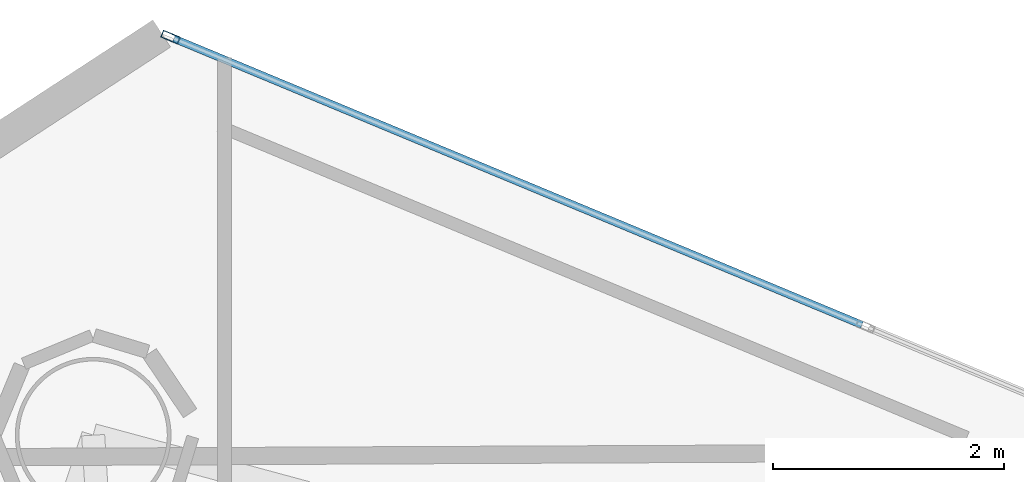
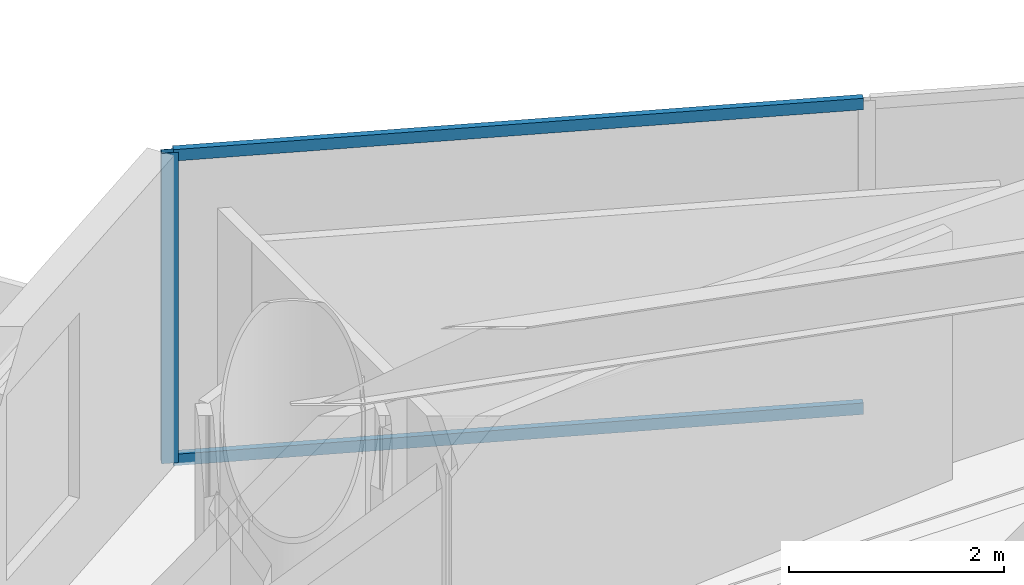
# One storey, part 16 of 22: 3 members, 1 element without a shape of its own.
"""IFC4 building model written with IfcOpenShell, lengths in metres."""

from ifc_helpers import new_model, si_unit, direction, frame, origin, origin_2d, place, context, subcontext, project, spatial, hollow_rectangle, extrude, material, layer, layer_set, material_profile, profile_set, type_object, element, aggregate, save


model = new_model("IFC4")

# Units and contexts
model_context = context("Model", 3, precision=1e-05, world=origin(), true_north=direction((0.0, 1.0)))
body_context = subcontext(model_context, "Body", "Model", "MODEL_VIEW")
ifc_project = project(units=[si_unit("LENGTHUNIT", "METRE"), si_unit("AREAUNIT", "SQUARE_METRE"), si_unit("VOLUMEUNIT", "CUBIC_METRE"), si_unit("PLANEANGLEUNIT", "RADIAN"), si_unit("MASSUNIT", "GRAM", prefix="KILO")], contexts=[model_context])

# Site, building, storey
site_placement = place(None, origin())
site = spatial("IfcSite", under=ifc_project, at=site_placement, CompositionType="ELEMENT")
building_placement = place(site_placement, origin())
building = spatial("IfcBuilding", under=site, at=building_placement, Name="Qianvela Tower", CompositionType="ELEMENT")
storey_placement = place(building_placement, frame((0.0, 0.0, 155.0)))
storey = spatial("IfcBuildingStorey", under=building, at=storey_placement, Name="L39", CompositionType="ELEMENT", Elevation=155.0)

# Curtain wall, members
ifc_material_1 = material(Name="Anodised Architectural Aluminium and Low-E Glass", Category="aluminium")
ifc_layer = layer(ifc_material_1, 0.169921875)
ifc_layer_set = layer_set([ifc_layer], Name="Anodised Architectural Aluminium and Low-E Glass")
curtain_wall_type = type_object("IfcCurtainWallType", Name="CW-COLIV-Z34", PredefinedType="USERDEFINED", material=ifc_layer_set)
curtain_wall_placement = place(storey_placement, origin())
curtain_wall = element("IfcCurtainWall", 1, at=curtain_wall_placement, inside=storey, type_object=curtain_wall_type, Name="L39 CW-COLIV-Z34 Curtain Wall 02C", ObjectType="CURTAIN_WALL_SYSTEM", PredefinedType="USERDEFINED")
ifc_material_2 = material(Name="Anodised Architectural Aluminium 6063-T6", Category="aluminium")
ifc_material_profile_1 = material_profile(ifc_material_2, hollow_rectangle(XDim=0.06494140625, YDim=0.159912109375, WallThickness=0.0048828125, at=origin_2d()), Name="ALU-MULL-65x160")
ifc_profile_set_1 = profile_set([ifc_material_profile_1], Name="Anodised Architectural Aluminium 6063-T6")
member_type_1 = type_object("IfcMemberType", Name="CW-COLIV-Z34-MULL", PredefinedType="MULLION", material=ifc_profile_set_1)
member_1_placement = place(storey_placement, frame((28.906005859375, 42.86279296875, 0.0), z_axis=(0.0, 0.0, 1.0), x_axis=(-0.384186698847, -0.923255425345, 0.0)))
member_1 = element("IfcMember", 2, at=member_1_placement, type_object=member_type_1, Name="CW-4 mullion 3", PredefinedType="MULLION", context=body_context, shape_type="SweptSolid", body=[
    extrude(hollow_rectangle(XDim=0.06494140625, YDim=0.159912109375, WallThickness=0.0048828125, at=origin_2d()), origin(), (0.0, 0.0, 1.0), 3.52001953125),
])
ifc_material_3 = material(Name="Anodised Architectural Aluminium 6063-T6", Category="aluminium")
ifc_material_profile_2 = material_profile(ifc_material_3, hollow_rectangle(XDim=0.06494140625, YDim=0.1298828125, WallThickness=0.00439453125, at=origin_2d()), Name="ALU-TRAN-65x130")
ifc_profile_set_2 = profile_set([ifc_material_profile_2], Name="Anodised Architectural Aluminium 6063-T6")
member_type_2 = type_object("IfcMemberType", Name="CW-COLIV-Z34-TRAN", PredefinedType="USERDEFINED", material=ifc_profile_set_2)
member_2_placement = place(storey_placement, frame((34.90234375, 40.367431640625, 0.032470703125), z_axis=(-0.923250070531, 0.384199566975, 0.0), x_axis=(-0.384199566975, -0.923250070531, 0.0)))
member_2 = element("IfcMember", 3, at=member_2_placement, type_object=member_type_2, Name="CW-4 transom 2.1", ObjectType="TRANSOM", PredefinedType="USERDEFINED", context=body_context, shape_type="SweptSolid", body=[
    extrude(hollow_rectangle(XDim=0.06494140625, YDim=0.1298828125, WallThickness=0.00439453125, at=origin_2d()), origin(), (0.0, 0.0, 1.0), 6.462646484375),
])
member_3_placement = place(storey_placement, frame((34.90234375, 40.367431640625, 3.487548828125), z_axis=(-0.923250070531, 0.384199566975, 0.0), x_axis=(-0.384199566975, -0.923250070531, 0.0)))
member_3 = element("IfcMember", 4, at=member_3_placement, type_object=member_type_2, Name="CW-4 transom 2.2", ObjectType="TRANSOM", PredefinedType="USERDEFINED", context=body_context, shape_type="SweptSolid", body=[
    extrude(hollow_rectangle(XDim=0.06494140625, YDim=0.1298828125, WallThickness=0.00439453125, at=origin_2d()), origin(), (0.0, 0.0, 1.0), 6.462646484375),
])
aggregate(curtain_wall, [member_1, member_2, member_3])

save(model, "model.ifc")
